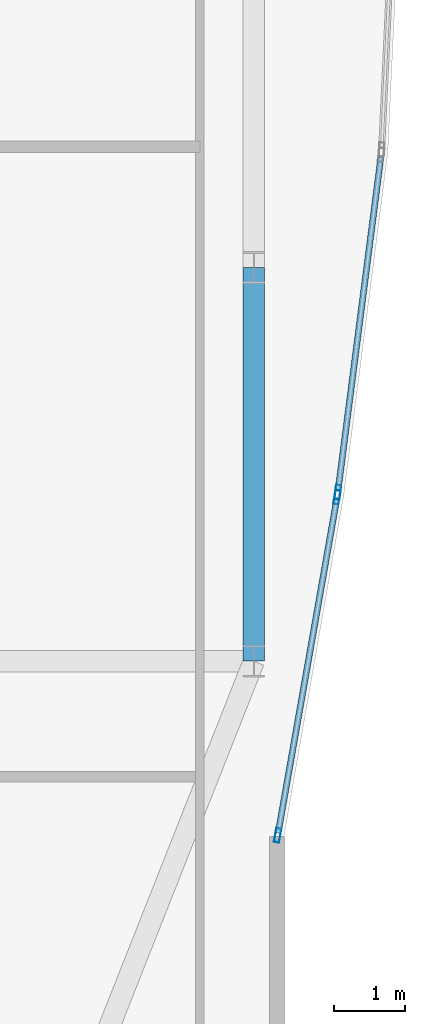
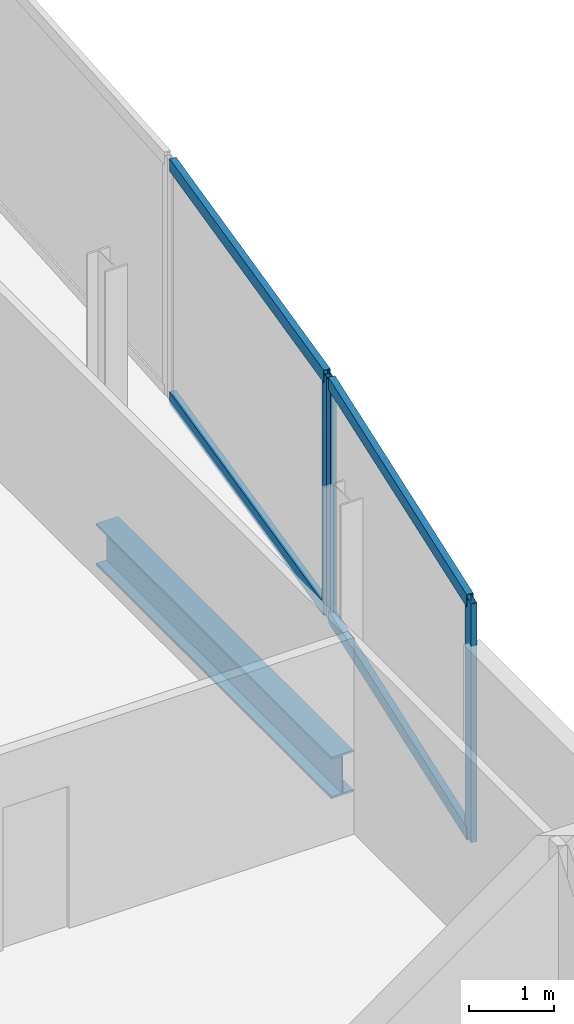
# One storey, part 16 of 30: 7 members, 1 beam, 2 elements without a shape of their own.
"""IFC4 building model written with IfcOpenShell, lengths in metres."""

from ifc_helpers import new_model, si_unit, direction, frame, origin, origin_2d, place, context, subcontext, project, spatial, hollow_rectangle, i_section, extrude, material, material_profile, profile_set, type_object, element, aggregate, save


model = new_model("IFC4")

# Units and contexts
model_context = context("Model", 3, precision=1e-05, world=origin(), true_north=direction((0.0, 1.0)))
body_context = subcontext(model_context, "Body", "Model", "MODEL_VIEW")
ifc_project = project(units=[si_unit("LENGTHUNIT", "METRE"), si_unit("AREAUNIT", "SQUARE_METRE"), si_unit("VOLUMEUNIT", "CUBIC_METRE"), si_unit("PLANEANGLEUNIT", "RADIAN"), si_unit("MASSUNIT", "GRAM", prefix="KILO")], contexts=[model_context])

# Site, building, storey
site_placement = place(None, origin())
site = spatial("IfcSite", under=ifc_project, at=site_placement, CompositionType="ELEMENT")
building_placement = place(site_placement, origin())
building = spatial("IfcBuilding", under=site, at=building_placement, Name="Khoronbel Lancet Exchange", CompositionType="ELEMENT")
storey_placement = place(building_placement, frame((0.0, 0.0, 203.0)))
storey = spatial("IfcBuildingStorey", under=building, at=storey_placement, Name="L51", CompositionType="ELEMENT", Elevation=203.0)

# Beam
ifc_material_1 = material(Name="Steel S355", Category="steel")
ifc_material_profile_1 = material_profile(ifc_material_1, i_section(OverallWidth=0.300048828125, OverallDepth=0.60009765625, WebThickness=0.015380859375, FlangeThickness=0.030029296875, at=origin_2d()), Name="HEB 600")
ifc_profile_set_1 = profile_set([ifc_material_profile_1], Name="Steel S355")
beam_type = type_object("IfcBeamType", Name="BM-BSP2", PredefinedType="SPANDREL", material=ifc_profile_set_1)
beam_placement = place(storey_placement, frame((65.6298828125, 19.199951171875, -0.4599609375), z_axis=(0.0, 1.0, 0.0), x_axis=(-1.0, 0.0, 0.0)))
element("IfcBeam", 1, at=beam_placement, inside=storey, type_object=beam_type, Name="Level L51 perimeter spandrel beam SP11", PredefinedType="SPANDREL", context=body_context, shape_type="SweptSolid", body=[
    extrude(i_section(OverallWidth=0.300048828125, OverallDepth=0.60009765625, WebThickness=0.015380859375, FlangeThickness=0.030029296875, at=origin_2d()), origin(), (0.0, 0.0, 1.0), 5.550048828125),
])

# Curtain wall, member
ifc_material_2 = material(Name="Low-E Solar Control Insulating Glass", Category="glass")
curtain_wall_type = type_object("IfcCurtainWallType", Name="CW-4", PredefinedType="NOTDEFINED", material=ifc_material_2)
curtain_wall_1_placement = place(storey_placement, origin())
curtain_wall_1 = element("IfcCurtainWall", 2, at=curtain_wall_1_placement, inside=storey, type_object=curtain_wall_type, Name="Unitised curtain wall CW-L51-E21", PredefinedType="NOTDEFINED")
ifc_material_3 = material(Name="Bronze-Anodised Aluminium 6063-T6", Category="aluminium")
ifc_material_profile_2 = material_profile(ifc_material_3, hollow_rectangle(XDim=0.074951171875, YDim=0.199951171875, WallThickness=0.0048828125, at=origin_2d()), Name="ALU MULLION 75x200")
ifc_profile_set_2 = profile_set([ifc_material_profile_2], Name="Bronze-Anodised Aluminium 6063-T6")
member_type_1 = type_object("IfcMemberType", Name="MEM-CWM2", PredefinedType="MULLION", material=ifc_profile_set_2)
member_1_placement = place(storey_placement, frame((66.81396484375, 21.583984375, 0.0), z_axis=(0.0, 0.0, 1.0), x_axis=(0.991846611095, -0.127437435866, 0.0)))
member_1 = element("IfcMember", 3, at=member_1_placement, type_object=member_type_1, Name="CW4 mullion 2", PredefinedType="MULLION", context=body_context, shape_type="SweptSolid", body=[
    extrude(hollow_rectangle(XDim=0.074951171875, YDim=0.199951171875, WallThickness=0.0048828125, at=origin_2d()), origin(), (0.0, 0.0, 1.0), 3.43994140625),
])

# Curtain wall, members
curtain_wall_2_placement = place(storey_placement, origin())
curtain_wall_2 = element("IfcCurtainWall", 4, at=curtain_wall_2_placement, inside=storey, type_object=curtain_wall_type, Name="Unitised curtain wall CW-L51-E22", PredefinedType="NOTDEFINED")
member_2_placement = place(storey_placement, frame((66.802734375, 21.509765625, 0.0), z_axis=(0.0, 0.0, 1.0), x_axis=(0.984944805954, -0.172869110092, 0.0)))
member_2 = element("IfcMember", 5, at=member_2_placement, type_object=member_type_1, Name="CW4 mullion 1", PredefinedType="MULLION", context=body_context, shape_type="SweptSolid", body=[
    extrude(hollow_rectangle(XDim=0.074951171875, YDim=0.199951171875, WallThickness=0.0048828125, at=origin_2d()), origin(), (0.0, 0.0, 1.0), 3.43994140625),
])
member_3_placement = place(storey_placement, frame((65.966552734375, 16.74462890625, 0.0), z_axis=(0.0, 0.0, 1.0), x_axis=(0.984944805954, -0.172869110092, 0.0)))
member_3 = element("IfcMember", 6, at=member_3_placement, type_object=member_type_1, Name="CW4 mullion 2", PredefinedType="MULLION", context=body_context, shape_type="SweptSolid", body=[
    extrude(hollow_rectangle(XDim=0.074951171875, YDim=0.199951171875, WallThickness=0.0048828125, at=origin_2d()), origin(), (0.0, 0.0, 1.0), 3.43994140625),
])

# Member
ifc_material_profile_3 = material_profile(ifc_material_3, hollow_rectangle(XDim=0.0849609375, YDim=0.179931640625, WallThickness=0.0048828125, at=origin_2d()), Name="ALU TRANSOM 85x180")
ifc_profile_set_3 = profile_set([ifc_material_profile_3], Name="Bronze-Anodised Aluminium 6063-T6")
member_type_2 = type_object("IfcMemberType", Name="MEM-CWT1", PredefinedType="USERDEFINED", material=ifc_profile_set_3)
member_4_placement = place(storey_placement, frame((67.419921875, 26.30029296875, 0.04248046875), z_axis=(-0.12740974204, -0.991850168944, 0.0), x_axis=(0.991850168944, -0.12740974204, 0.0)))
member_4 = element("IfcMember", 7, at=member_4_placement, type_object=member_type_2, Name="CW4 transom 1.1", ObjectType="TRANSOM", PredefinedType="USERDEFINED", context=body_context, shape_type="SweptSolid", body=[
    extrude(hollow_rectangle(XDim=0.0849609375, YDim=0.179931640625, WallThickness=0.0048828125, at=origin_2d()), origin(), (0.0, 0.0, 1.0), 4.717529296875),
])

member_5_placement = place(storey_placement, frame((67.419921875, 26.30029296875, 3.3974609375), z_axis=(-0.12740974204, -0.991850168944, 0.0), x_axis=(0.991850168944, -0.12740974204, 0.0)))
member_5 = element("IfcMember", 8, at=member_5_placement, type_object=member_type_2, Name="CW4 transom 1.2", ObjectType="TRANSOM", PredefinedType="USERDEFINED", context=body_context, shape_type="SweptSolid", body=[
    extrude(hollow_rectangle(XDim=0.0849609375, YDim=0.179931640625, WallThickness=0.0048828125, at=origin_2d()), origin(), (0.0, 0.0, 1.0), 4.717529296875),
])

aggregate(curtain_wall_1, [member_1, member_4, member_5])

member_6_placement = place(storey_placement, frame((66.79638671875, 21.472900390625, 0.04248046875), z_axis=(-0.172896316572, -0.984940030517, 0.0), x_axis=(0.984940030517, -0.172896316572, 0.0)))
member_6 = element("IfcMember", 9, at=member_6_placement, type_object=member_type_2, Name="CW4 transom 1.1", ObjectType="TRANSOM", PredefinedType="USERDEFINED", context=body_context, shape_type="SweptSolid", body=[
    extrude(hollow_rectangle(XDim=0.0849609375, YDim=0.179931640625, WallThickness=0.0048828125, at=origin_2d()), origin(), (0.0, 0.0, 1.0), 4.762939453125),
])

member_7_placement = place(storey_placement, frame((66.79638671875, 21.472900390625, 3.3974609375), z_axis=(-0.172896316572, -0.984940030517, 0.0), x_axis=(0.984940030517, -0.172896316572, 0.0)))
member_7 = element("IfcMember", 10, at=member_7_placement, type_object=member_type_2, Name="CW4 transom 1.2", ObjectType="TRANSOM", PredefinedType="USERDEFINED", context=body_context, shape_type="SweptSolid", body=[
    extrude(hollow_rectangle(XDim=0.0849609375, YDim=0.179931640625, WallThickness=0.0048828125, at=origin_2d()), origin(), (0.0, 0.0, 1.0), 4.762939453125),
])

aggregate(curtain_wall_2, [member_2, member_3, member_6, member_7])

save(model, "model.ifc")
